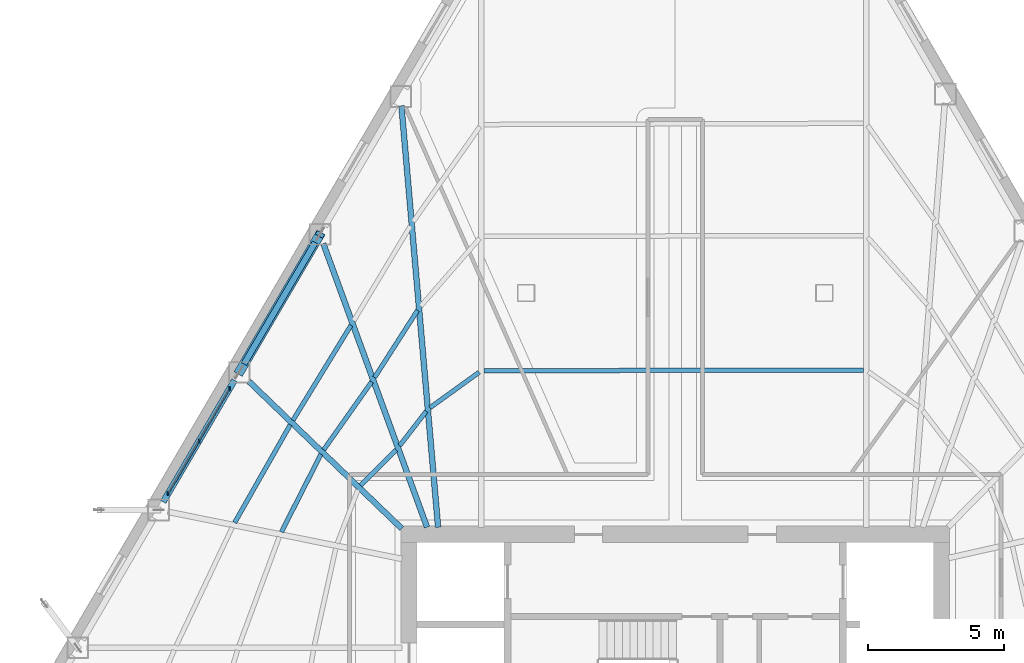
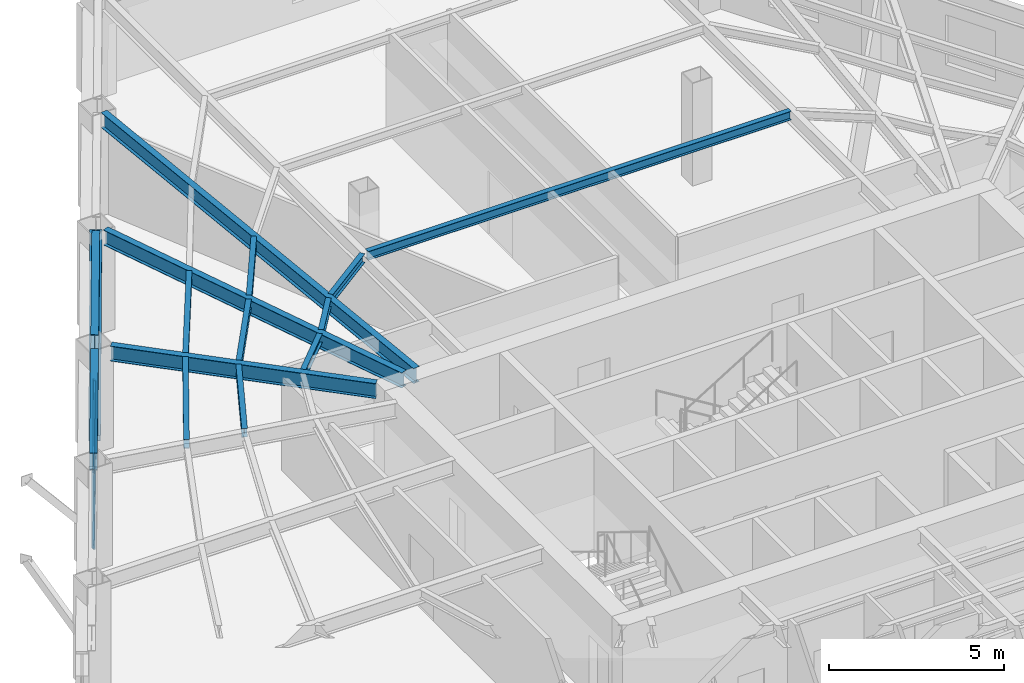
# One storey, part 2 of 15: 14 beams, 6 members, 1 element without a shape of its own.
"""IFC4 building model written with IfcOpenShell, lengths in metres."""

import ifcopenshell
import ifcopenshell.guid

model = None  # the IFC model being written
_history = None  # IfcOwnerHistory: only IFC2X3 demands one
_inside = {}  # id of a spatial element -> (the spatial element, [elements in it])
_under = {}  # id of a project, library or spatial element -> (it, [spatial elements below it])
_declared = {}  # id of a project -> (the project, [libraries it declares])
_typed = {}  # id of a type object -> (the type object, [elements of that type])
_made_of = {}  # id of a material, layer set ... -> (it, [elements and type objects made of it])


def new_model(schema):
    """Start an empty IFC model of exactly this schema.

    Asked for "IFC4X3", IfcOpenShell would pick the latest addendum, in which some entities
    have other attributes; the version numbers below select the first issue.
    IFC2X3 requires an IfcOwnerHistory on every rooted entity: one is made here for all.
    """
    global model, _history
    if schema == "IFC4X3":
        model = ifcopenshell.file(schema_version=(4, 3, 0, 0))
    else:
        model = ifcopenshell.file(schema=schema)
    _inside.clear()
    _under.clear()
    _declared.clear()
    _typed.clear()
    _made_of.clear()
    _history = None
    if model.schema == "IFC2X3":
        org = make("IfcOrganization", Name="unknown")
        user = make(
            "IfcPersonAndOrganization",
            ThePerson=make("IfcPerson", FamilyName="unknown"),
            TheOrganization=org,
        )
        app = make(
            "IfcApplication",
            ApplicationDeveloper=org,
            Version="unknown",
            ApplicationFullName="unknown",
            ApplicationIdentifier="unknown",
        )
        _history = make(
            "IfcOwnerHistory",
            OwningUser=user,
            OwningApplication=app,
            ChangeAction="ADDED",
            CreationDate=0,
        )
    return model


def make(cls, **values):
    """One entity of the class cls with the attributes given. An attribute that is None is left unset."""
    return model.create_entity(
        cls, **{name: value for name, value in values.items() if value is not None}
    )


def rooted(cls, **values):
    """An entity with a GlobalId (a new one), such as an element, a storey or a relation."""
    return make(cls, GlobalId=ifcopenshell.guid.new(), OwnerHistory=_history, **values)


def si_unit(unit_type, name, prefix=None):
    """IfcSIUnit, for example si_unit("LENGTHUNIT", "METRE", prefix="MILLI")."""
    return make("IfcSIUnit", UnitType=unit_type, Prefix=prefix, Name=name)


def assignment(units):
    """IfcUnitAssignment: the units of a project."""
    return None if units is None else make("IfcUnitAssignment", Units=units)


def point(xyz):
    """IfcCartesianPoint."""
    return None if xyz is None else make("IfcCartesianPoint", Coordinates=xyz)


def direction(xyz):
    """IfcDirection."""
    return None if xyz is None else make("IfcDirection", DirectionRatios=xyz)


def frame(location, z_axis=None, x_axis=None):
    """IfcAxis2Placement3D, a coordinate frame: its origin and axes. An axis left out is left unset."""
    return make(
        "IfcAxis2Placement3D",
        Location=point(location),
        Axis=direction(z_axis),
        RefDirection=direction(x_axis),
    )


def frame_2d(location, x_axis=None):
    """IfcAxis2Placement2D, a coordinate frame in the plane: its origin and x axis."""
    return make(
        "IfcAxis2Placement2D", Location=point(location), RefDirection=direction(x_axis)
    )


def origin():
    """The frame at (0, 0, 0) with its axes left unset."""
    return frame((0.0, 0.0, 0.0))


def origin_2d():
    """The frame at (0, 0) in the plane with its x axis left unset."""
    return frame_2d((0.0, 0.0))


def place(relative_to, where):
    """IfcLocalPlacement: puts the frame where relative to a parent placement (None: the world)."""
    return make(
        "IfcLocalPlacement", PlacementRelTo=relative_to, RelativePlacement=where
    )


def context(
    kind, dimensions, precision=None, world=None, true_north=None, identifier=None
):
    """IfcGeometricRepresentationContext, for example the 3D "Model" context."""
    return make(
        "IfcGeometricRepresentationContext",
        ContextIdentifier=identifier,
        ContextType=kind,
        CoordinateSpaceDimension=dimensions,
        Precision=precision,
        WorldCoordinateSystem=world,
        TrueNorth=true_north,
    )


def subcontext(parent, identifier, kind, view, scale=None):
    """IfcGeometricRepresentationSubContext, for example "Body" below "Model"."""
    return make(
        "IfcGeometricRepresentationSubContext",
        ContextIdentifier=identifier,
        ContextType=kind,
        ParentContext=parent,
        TargetScale=scale,
        TargetView=view,
    )


def project(units=None, contexts=None):
    """IfcProject with its units and contexts."""
    return rooted(
        "IfcProject",
        Name="project",
        RepresentationContexts=contexts,
        UnitsInContext=assignment(units),
    )


def spatial(cls, under=None, at=None, **own):
    """A site, building, storey or space (cls), placed at a placement, below another one or the project."""
    s = rooted(cls, ObjectPlacement=at, **own)
    if under is not None:
        _under.setdefault(under.id(), (under, []))[1].append(s)
    return s


def profile(cls, at=None, kind="AREA", **sizes):
    """A parametric profile (cls). Its sizes go by their IFC names, for example OverallWidth=200.0."""
    return make(cls, ProfileType=kind, Position=at, **sizes)


def rectangle(**sizes):
    """IfcRectangleProfileDef."""
    return profile("IfcRectangleProfileDef", **sizes)


def hollow_rectangle(**sizes):
    """IfcRectangleHollowProfileDef."""
    return profile("IfcRectangleHollowProfileDef", **sizes)


def i_section(**sizes):
    """IfcIShapeProfileDef."""
    return profile("IfcIShapeProfileDef", **sizes)


def extrude(swept, where, along, depth):
    """IfcExtrudedAreaSolid: the profile swept, set in the frame where, extruded along a direction by depth."""
    return make(
        "IfcExtrudedAreaSolid",
        SweptArea=swept,
        Position=where,
        ExtrudedDirection=direction(along),
        Depth=depth,
    )


def shape(context_of_items, identifier, shape_type, items):
    """IfcShapeRepresentation: the items that make up one representation, for example the "Body"."""
    return make(
        "IfcShapeRepresentation",
        ContextOfItems=context_of_items,
        RepresentationIdentifier=identifier,
        RepresentationType=shape_type,
        Items=items,
    )


def material(Name=None, Category=None):
    """IfcMaterial."""
    return make("IfcMaterial", Name=Name, Category=Category)


def layer(
    of_material, thickness, ventilated=None, Name=None, Category=None, Priority=None
):
    """IfcMaterialLayer: one layer of a wall or slab, of a material (None: an air gap)."""
    return make(
        "IfcMaterialLayer",
        Material=of_material,
        LayerThickness=thickness,
        IsVentilated=ventilated,
        Name=Name,
        Category=Category,
        Priority=Priority,
    )


def layer_set(layers, Name=None):
    """IfcMaterialLayerSet."""
    return make("IfcMaterialLayerSet", MaterialLayers=layers, LayerSetName=Name)


def material_profile(
    of_material, cross_section, Name=None, Category=None, Priority=None
):
    """IfcMaterialProfile: a cross section and its material."""
    return make(
        "IfcMaterialProfile",
        Name=Name,
        Material=of_material,
        Profile=cross_section,
        Priority=Priority,
        Category=Category,
    )


def profile_set(profiles, Name=None, composite=None):
    """IfcMaterialProfileSet."""
    return make(
        "IfcMaterialProfileSet",
        Name=Name,
        MaterialProfiles=profiles,
        CompositeProfile=composite,
    )


def made_of(thing, what):
    """Note that an element or type object is made of a material, layer set ...; save() writes the relation."""
    if what is not None:
        _made_of.setdefault(what.id(), (what, []))[1].append(thing)
    return thing


def type_object(cls, material=None, **own):
    """A type object (cls), such as IfcWallType, which elements share."""
    return made_of(rooted(cls, **own), material)


def element(
    cls,
    number,
    at=None,
    inside=None,
    cuts=None,
    type_object=None,
    material=None,
    context=None,
    identifier="Body",
    shape_type=None,
    held_by="IfcProductDefinitionShape",
    body=None,
    shapes=None,
    **own,
):
    """One element of the class cls, such as IfcWall. Its Tag is "e" and its number.

    at: its placement. inside: the storey or other place that contains it. cuts: it is an
    opening in that element (IfcRelVoidsElement). A single representation is given by context,
    identifier, shape_type and body (its items); several are given by shapes. held_by: the class
    of the entity that holds the representations. save() writes the other relations.
    """
    e = rooted(cls, Tag="e%d" % number, ObjectPlacement=at, **own)
    if body is not None:
        shapes = [shape(context, identifier, shape_type, body)]
    if shapes is not None:
        e.Representation = make(held_by, Representations=shapes)
    if inside is not None:
        _inside.setdefault(inside.id(), (inside, []))[1].append(e)
    if cuts is not None:
        rooted(
            "IfcRelVoidsElement", RelatingBuildingElement=cuts, RelatedOpeningElement=e
        )
    if type_object is not None:
        _typed.setdefault(type_object.id(), (type_object, []))[1].append(e)
    return made_of(e, material)


def aggregate(whole, parts):
    """IfcRelAggregates: a whole, such as a stair, and the parts it consists of."""
    return rooted("IfcRelAggregates", RelatingObject=whole, RelatedObjects=parts)


def save(model, path):
    """Write the relations noted so far, then the file.

    IfcRelAggregates (storeys below a building ...), IfcRelContainedInSpatialStructure (elements
    in a storey), IfcRelDefinesByType, IfcRelAssociatesMaterial and IfcRelDeclares: one each for
    every whole, place, type object, material and project.
    """
    for whole, parts in _under.values():
        aggregate(whole, parts)
    for where, things in _inside.values():
        rooted(
            "IfcRelContainedInSpatialStructure",
            RelatedElements=things,
            RelatingStructure=where,
        )
    for kind, things in _typed.values():
        rooted("IfcRelDefinesByType", RelatedObjects=things, RelatingType=kind)
    for what, things in _made_of.values():
        rooted("IfcRelAssociatesMaterial", RelatedObjects=things, RelatingMaterial=what)
    for by, libraries in _declared.values():
        rooted("IfcRelDeclares", RelatingContext=by, RelatedDefinitions=libraries)
    model.write(path)


model = new_model("IFC4")

# Units and contexts
model_context = context("Model", 3, precision=1e-05, world=origin(), true_north=direction((0.0, 1.0)))
body_context = subcontext(model_context, "Body", "Model", "MODEL_VIEW")
ifc_project = project(units=[si_unit("LENGTHUNIT", "METRE"), si_unit("AREAUNIT", "SQUARE_METRE"), si_unit("VOLUMEUNIT", "CUBIC_METRE"), si_unit("PLANEANGLEUNIT", "RADIAN"), si_unit("MASSUNIT", "GRAM", prefix="KILO")], contexts=[model_context])

# Site, building, storey
site_placement = place(None, origin())
site = spatial("IfcSite", under=ifc_project, at=site_placement, CompositionType="ELEMENT")
building_placement = place(site_placement, origin())
building = spatial("IfcBuilding", under=site, at=building_placement, Name="Kavelnor Concourse Tower", CompositionType="ELEMENT")
storey_placement = place(building_placement, frame((0.0, 0.0, 67.60009765625)))
storey = spatial("IfcBuildingStorey", under=building, at=storey_placement, Name="L17", CompositionType="ELEMENT", Elevation=67.60009765625)

# Beams
ifc_material_1 = material(Name="Steel Grade 350", Category="steel")
ifc_material_profile_1 = material_profile(ifc_material_1, i_section(OverallWidth=0.166015625, OverallDepth=0.306884765625, WebThickness=0.006591796875, FlangeThickness=0.01171875, at=origin_2d()), Name="310UB46")
ifc_profile_set_1 = profile_set([ifc_material_profile_1], Name="Steel Grade 350")
beam_type_1 = type_object("IfcBeamType", Name="BM-JOIST-310", PredefinedType="JOIST", material=ifc_profile_set_1)
beam_1_placement = place(storey_placement, frame((44.939453125, 28.9541015625, 3.4365234375), z_axis=(-0.9999992111, -0.00125610508, 0.0), x_axis=(0.00125610508, -0.9999992111, 0.0)))
element("IfcBeam", 1, at=beam_1_placement, inside=storey, type_object=beam_type_1, Name="L17 Secondary Composite Joist 15-1", PredefinedType="JOIST", context=body_context, shape_type="SweptSolid", body=[
    extrude(i_section(OverallWidth=0.166015625, OverallDepth=0.306884765625, WebThickness=0.006591796875, FlangeThickness=0.01171875, at=origin_2d()), origin(), (0.0, 0.0, 1.0), 13.994140625),
])
beam_2_placement = place(storey_placement, frame((30.76708984375, 28.878662109375, 3.4365234375), z_axis=(-0.811053461344, -0.584972035949, 0.0), x_axis=(0.584972035949, -0.811053461344, 0.0)))
element("IfcBeam", 2, at=beam_2_placement, inside=storey, type_object=beam_type_1, Name="L17 Secondary Composite Joist 16-1", PredefinedType="JOIST", context=body_context, shape_type="SweptSolid", body=[
    extrude(i_section(OverallWidth=0.166015625, OverallDepth=0.306884765625, WebThickness=0.006591796875, FlangeThickness=0.01171875, at=origin_2d()), origin(), (0.0, 0.0, 1.0), 2.2353515625),
])
beam_3_placement = place(storey_placement, frame((28.813720703125, 27.435302734375, 3.4365234375), z_axis=(-0.611985551205, -0.790868943072, 0.0), x_axis=(0.790868943072, -0.611985551205, 0.0)))
element("IfcBeam", 3, at=beam_3_placement, inside=storey, type_object=beam_type_1, Name="L17 Secondary Composite Joist 17-1", PredefinedType="JOIST", context=body_context, shape_type="SweptSolid", body=[
    extrude(i_section(OverallWidth=0.166015625, OverallDepth=0.306884765625, WebThickness=0.006591796875, FlangeThickness=0.01171875, at=origin_2d()), origin(), (0.0, 0.0, 1.0), 1.600830078125),
])
beam_4_placement = place(storey_placement, frame((28.496337890625, 31.16162109375, 3.4365234375), z_axis=(-0.539616349217, -0.841911037852, 0.0), x_axis=(0.841911037852, -0.539616349217, 0.0)))
element("IfcBeam", 4, at=beam_4_placement, inside=storey, type_object=beam_type_1, Name="L17 Secondary Composite Joist 17-2", PredefinedType="JOIST", context=body_context, shape_type="SweptSolid", body=[
    extrude(i_section(OverallWidth=0.166015625, OverallDepth=0.306884765625, WebThickness=0.006591796875, FlangeThickness=0.01171875, at=origin_2d()), origin(), (0.0, 0.0, 1.0), 2.942138671875),
])
beam_5_placement = place(storey_placement, frame((27.70458984375, 26.021240234375, 3.4365234375), z_axis=(-0.704467365677, -0.709736381127, 0.0), x_axis=(0.709736381127, -0.704467365677, 0.0)))
element("IfcBeam", 5, at=beam_5_placement, inside=storey, type_object=beam_type_1, Name="L17 Secondary Composite Joist 18-1", PredefinedType="JOIST", context=body_context, shape_type="SweptSolid", body=[
    extrude(i_section(OverallWidth=0.166015625, OverallDepth=0.306884765625, WebThickness=0.006591796875, FlangeThickness=0.01171875, at=origin_2d()), origin(), (0.0, 0.0, 1.0), 1.853515625),
])
beam_6_placement = place(storey_placement, frame((26.798828125, 28.52099609375, 3.4365234375), z_axis=(-0.576636246629, -0.817001003104, 0.0), x_axis=(0.817001003104, -0.576636246629, 0.0)))
element("IfcBeam", 6, at=beam_6_placement, inside=storey, type_object=beam_type_1, Name="L17 Secondary Composite Joist 18-2", PredefinedType="JOIST", context=body_context, shape_type="SweptSolid", body=[
    extrude(i_section(OverallWidth=0.166015625, OverallDepth=0.306884765625, WebThickness=0.006591796875, FlangeThickness=0.01171875, at=origin_2d()), origin(), (0.0, 0.0, 1.0), 3.062255859375),
])
beam_7_placement = place(storey_placement, frame((26.039306640625, 30.609619140625, 3.4365234375), z_axis=(-0.521495734887, -0.853253888649, 0.0), x_axis=(0.853253888649, -0.521495734887, 0.0)))
element("IfcBeam", 7, at=beam_7_placement, inside=storey, type_object=beam_type_1, Name="L17 Secondary Composite Joist 18-3", PredefinedType="JOIST", context=body_context, shape_type="SweptSolid", body=[
    extrude(i_section(OverallWidth=0.166015625, OverallDepth=0.306884765625, WebThickness=0.006591796875, FlangeThickness=0.01171875, at=origin_2d()), origin(), (0.0, 0.0, 1.0), 4.103271484375),
])
beam_8_placement = place(storey_placement, frame((24.931396484375, 25.850830078125, 3.4365234375), z_axis=(-0.453669886484, -0.891169812155, 0.0), x_axis=(0.891169812155, -0.453669886484, 0.0)))
element("IfcBeam", 8, at=beam_8_placement, inside=storey, type_object=beam_type_1, Name="L17 Secondary Composite Joist 19-2", PredefinedType="JOIST", context=body_context, shape_type="SweptSolid", body=[
    extrude(i_section(OverallWidth=0.166015625, OverallDepth=0.306884765625, WebThickness=0.006591796875, FlangeThickness=0.01171875, at=origin_2d()), origin(), (0.0, 0.0, 1.0), 3.216064453125),
])
beam_9_placement = place(storey_placement, frame((23.79931640625, 26.938720703125, 3.4365234375), z_axis=(-0.493996269402, -0.869464022152, 0.0), x_axis=(0.869464022152, -0.493996269402, 0.0)))
element("IfcBeam", 9, at=beam_9_placement, inside=storey, type_object=beam_type_1, Name="L17 Secondary Composite Joist 19-3", PredefinedType="JOIST", context=body_context, shape_type="SweptSolid", body=[
    extrude(i_section(OverallWidth=0.166015625, OverallDepth=0.306884765625, WebThickness=0.006591796875, FlangeThickness=0.01171875, at=origin_2d()), origin(), (0.0, 0.0, 1.0), 4.150390625),
])
ifc_material_profile_2 = material_profile(ifc_material_1, i_section(OverallWidth=0.208984375, OverallDepth=0.528076171875, WebThickness=0.009521484375, FlangeThickness=0.01318359375, at=origin_2d()), Name="530UB82")
ifc_profile_set_2 = profile_set([ifc_material_profile_2], Name="Steel Grade 350")
beam_type_2 = type_object("IfcBeamType", Name="BM-PRIMARY-530", PredefinedType="BEAM", material=ifc_profile_set_2)
beam_10_placement = place(storey_placement, frame((29.2529296875, 23.16015625, 3.325927734375), z_axis=(-0.08668564844, 0.996235714254, 0.0), x_axis=(-0.996235714254, -0.08668564844, 0.0)))
element("IfcBeam", 10, at=beam_10_placement, inside=storey, type_object=beam_type_2, Name="L17 Primary Floor Girder F0-B1", PredefinedType="BEAM", context=body_context, shape_type="SweptSolid", body=[
    extrude(i_section(OverallWidth=0.208984375, OverallDepth=0.528076171875, WebThickness=0.009521484375, FlangeThickness=0.01318359375, at=origin_2d()), origin(), (0.0, 0.0, 1.0), 15.605712890625),
])
beam_11_placement = place(storey_placement, frame((28.84521484375, 23.162353515625, 3.325927734375), z_axis=(-0.343511272993, 0.939148553386, 0.0), x_axis=(-0.939148553386, -0.343511272993, 0.0)))
element("IfcBeam", 11, at=beam_11_placement, inside=storey, type_object=beam_type_2, Name="L17 Primary Floor Girder F0-B2", PredefinedType="BEAM", context=body_context, shape_type="SweptSolid", body=[
    extrude(i_section(OverallWidth=0.208984375, OverallDepth=0.528076171875, WebThickness=0.009521484375, FlangeThickness=0.01318359375, at=origin_2d()), origin(), (0.0, 0.0, 1.0), 11.1376953125),
])
beam_12_placement = place(storey_placement, frame((27.90869140625, 23.115966796875, 3.325927734375), z_axis=(-0.720497956251, 0.693457060702, 0.0), x_axis=(-0.693457060702, -0.720497956251, 0.0)))
element("IfcBeam", 12, at=beam_12_placement, inside=storey, type_object=beam_type_2, Name="L17 Primary Floor Girder F0-B3", PredefinedType="BEAM", context=body_context, shape_type="SweptSolid", body=[
    extrude(i_section(OverallWidth=0.208984375, OverallDepth=0.528076171875, WebThickness=0.009521484375, FlangeThickness=0.01318359375, at=origin_2d()), origin(), (0.0, 0.0, 1.0), 7.827880859375),
])
ifc_material_profile_3 = material_profile(ifc_material_1, i_section(OverallWidth=0.22900390625, OverallDepth=0.612060546875, WebThickness=0.011962890625, FlangeThickness=0.01953125, at=origin_2d()), Name="610UB125")
ifc_profile_set_3 = profile_set([ifc_material_profile_3], Name="Steel Grade 350")
beam_type_3 = type_object("IfcBeamType", Name="BM-SPANDREL-Z1", PredefinedType="SPANDREL", material=ifc_profile_set_3)
beam_13_placement = place(storey_placement, frame((24.7197265625, 33.6669921875, 3.283935546875), z_axis=(-0.505318213168, -0.86293308167, 0.0), x_axis=(0.86293308167, -0.505318213168, 0.0)))
element("IfcBeam", 13, at=beam_13_placement, inside=storey, type_object=beam_type_3, Name="L17 Perimeter Tube Spandrel Beam F0-B2", PredefinedType="SPANDREL", context=body_context, shape_type="SweptSolid", body=[
    extrude(i_section(OverallWidth=0.22900390625, OverallDepth=0.612060546875, WebThickness=0.011962890625, FlangeThickness=0.01953125, at=origin_2d()), origin(), (0.0, 0.0, 1.0), 5.199951171875),
])
beam_14_placement = place(storey_placement, frame((21.743408203125, 28.58447265625, 3.283935546875), z_axis=(-0.505353173085, -0.862912608816, 0.0), x_axis=(0.862912608816, -0.505353173085, 0.0)))
element("IfcBeam", 14, at=beam_14_placement, inside=storey, type_object=beam_type_3, Name="L17 Perimeter Tube Spandrel Beam F0-B3", PredefinedType="SPANDREL", context=body_context, shape_type="SweptSolid", body=[
    extrude(i_section(OverallWidth=0.22900390625, OverallDepth=0.612060546875, WebThickness=0.011962890625, FlangeThickness=0.01953125, at=origin_2d()), origin(), (0.0, 0.0, 1.0), 5.2001953125),
])

# Curtain wall, members
ifc_material_2 = material(Name="Anodised aluminium 6063-T6", Category="aluminium")
ifc_layer = layer(ifc_material_2, 0.139892578125, Name="Anodised aluminium 6063-T6")
ifc_layer_set = layer_set([ifc_layer], Name="Anodised aluminium 6063-T6")
curtain_wall_type = type_object("IfcCurtainWallType", Name="CW-TERRACE-PAVILION", PredefinedType="NOTDEFINED", material=ifc_layer_set)
curtain_wall_placement = place(storey_placement, origin())
curtain_wall = element("IfcCurtainWall", 15, at=curtain_wall_placement, inside=storey, type_object=curtain_wall_type, Name="L17 Terrace Pavilion Curtain Wall", PredefinedType="NOTDEFINED")
ifc_material_profile_4 = material_profile(ifc_material_2, rectangle(XDim=0.054931640625, YDim=0.139892578125, at=origin_2d()), Name="AL-MULL 55x140")
ifc_profile_set_4 = profile_set([ifc_material_profile_4], Name="Anodised aluminium 6063-T6")
member_type_1 = type_object("IfcMemberType", Name="CW-TERRACE-PAVILION-MULL", PredefinedType="MULLION", material=ifc_profile_set_4)
member_1_placement = place(storey_placement, frame((21.56396484375, 28.278076171875, 0.0), z_axis=(0.0, 0.0, 1.0), x_axis=(1.0, 0.0, 0.0)))
member_1 = element("IfcMember", 16, at=member_1_placement, type_object=member_type_1, Name="L17 Terrace Pavilion Curtain Wall Mullion 0", PredefinedType="MULLION", context=body_context, shape_type="SweptSolid", body=[
    extrude(rectangle(XDim=0.054931640625, YDim=0.139892578125, at=origin_2d()), origin(), (0.0, 0.0, 1.0), 2.75),
])
member_2_placement = place(storey_placement, frame((20.429443359375, 26.3408203125, 0.0), z_axis=(0.0, 0.0, 1.0), x_axis=(1.0, 0.0, 0.0)))
member_2 = element("IfcMember", 17, at=member_2_placement, type_object=member_type_1, Name="L17 Terrace Pavilion Curtain Wall Mullion 1", PredefinedType="MULLION", context=body_context, shape_type="SweptSolid", body=[
    extrude(rectangle(XDim=0.054931640625, YDim=0.139892578125, at=origin_2d()), origin(), (0.0, 0.0, 1.0), 2.75),
])
member_3_placement = place(storey_placement, frame((19.294921875, 24.403564453125, 0.0), z_axis=(0.0, 0.0, 1.0), x_axis=(1.0, 0.0, 0.0)))
member_3 = element("IfcMember", 18, at=member_3_placement, type_object=member_type_1, Name="L17 Terrace Pavilion Curtain Wall Mullion 2", PredefinedType="MULLION", context=body_context, shape_type="SweptSolid", body=[
    extrude(rectangle(XDim=0.054931640625, YDim=0.139892578125, at=origin_2d()), origin(), (0.0, 0.0, 1.0), 2.75),
])
ifc_material_profile_5 = material_profile(ifc_material_2, rectangle(XDim=0.054931640625, YDim=0.1201171875, at=origin_2d()), Name="AL-TRAN 55x120")
ifc_profile_set_5 = profile_set([ifc_material_profile_5], Name="Anodised aluminium 6063-T6")
member_type_2 = type_object("IfcMemberType", Name="CW-TERRACE-PAVILION-TRAN", PredefinedType="USERDEFINED", material=ifc_profile_set_5)
member_4_placement = place(storey_placement, frame((21.56396484375, 28.278076171875, 0.059814453125), z_axis=(-0.505351058378, -0.862913847262, 0.0), x_axis=(0.862913847262, -0.505351058378, 0.0)))
member_4 = element("IfcMember", 19, at=member_4_placement, type_object=member_type_2, Name="L17 Terrace Pavilion Curtain Wall Transom 0-BOT", ObjectType="TRANSOM", PredefinedType="USERDEFINED", context=body_context, shape_type="SweptSolid", body=[
    extrude(rectangle(XDim=0.054931640625, YDim=0.1201171875, at=origin_2d()), origin(), (0.0, 0.0, 1.0), 4.489990234375),
])
member_5_placement = place(storey_placement, frame((21.56396484375, 28.278076171875, 2.68994140625), z_axis=(-0.505351058378, -0.862913847262, 0.0), x_axis=(0.862913847262, -0.505351058378, 0.0)))
member_5 = element("IfcMember", 20, at=member_5_placement, type_object=member_type_2, Name="L17 Terrace Pavilion Curtain Wall Transom 0-TOP", ObjectType="TRANSOM", PredefinedType="USERDEFINED", context=body_context, shape_type="SweptSolid", body=[
    extrude(rectangle(XDim=0.054931640625, YDim=0.1201171875, at=origin_2d()), origin(), (0.0, 0.0, 1.0), 4.489990234375),
])
aggregate(curtain_wall, [member_1, member_2, member_3, member_4, member_5])

# Member
ifc_material_profile_6 = material_profile(ifc_material_1, hollow_rectangle(XDim=0.35009765625, YDim=0.35009765625, WallThickness=0.02001953125, at=origin_2d()), Name="SHS 350x350x20")
ifc_profile_set_6 = profile_set([ifc_material_profile_6], Name="Steel Grade 350")
member_type_3 = type_object("IfcMemberType", Name="MBR-TUBE-DIAG-Z1", PredefinedType="BRACE", material=ifc_profile_set_6)
member_6_placement = place(storey_placement, frame((21.917724609375, 28.882080078125, 0.219970703125), z_axis=(0.448297882599, 0.765537307846, 0.461499337759), x_axis=(-0.862926742587, 0.505329038279, 0.0)))
element("IfcMember", 21, at=member_6_placement, inside=storey, type_object=member_type_3, Name="L17 Framed-Tube Bracing Diagonal F0-B2", PredefinedType="BRACE", context=body_context, shape_type="SweptSolid", body=[
    extrude(hollow_rectangle(XDim=0.35009765625, YDim=0.35009765625, WallThickness=0.02001953125, at=origin_2d()), origin(), (0.0, 0.0, 1.0), 6.63916015625),
])

save(model, "model.ifc")
